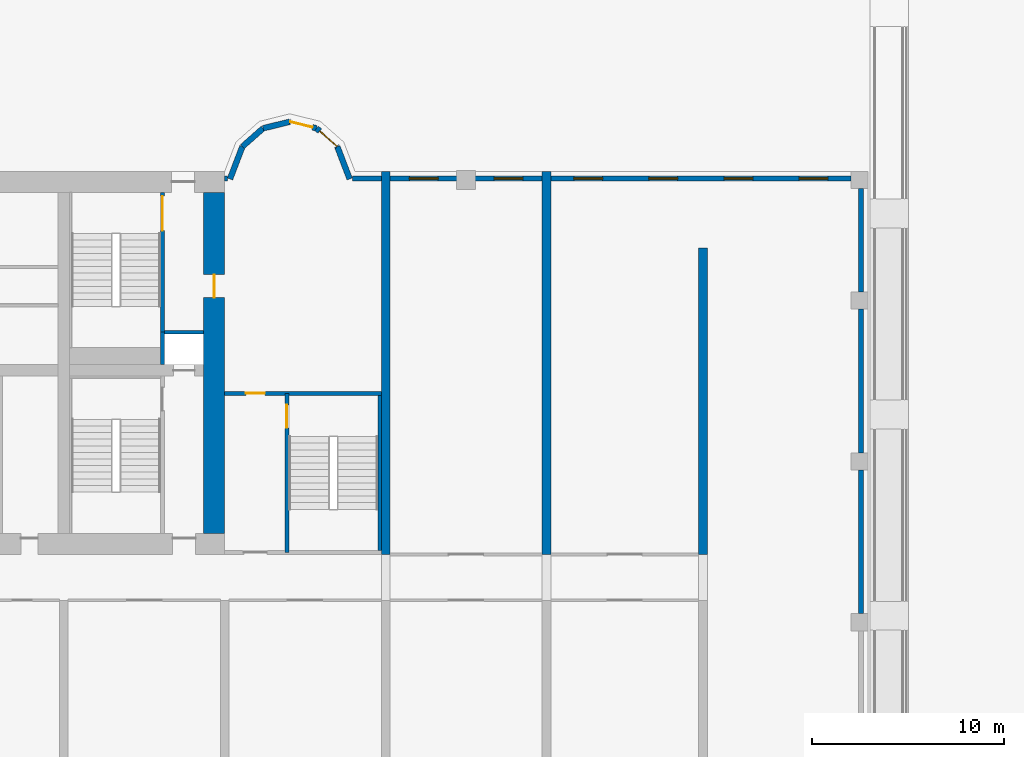
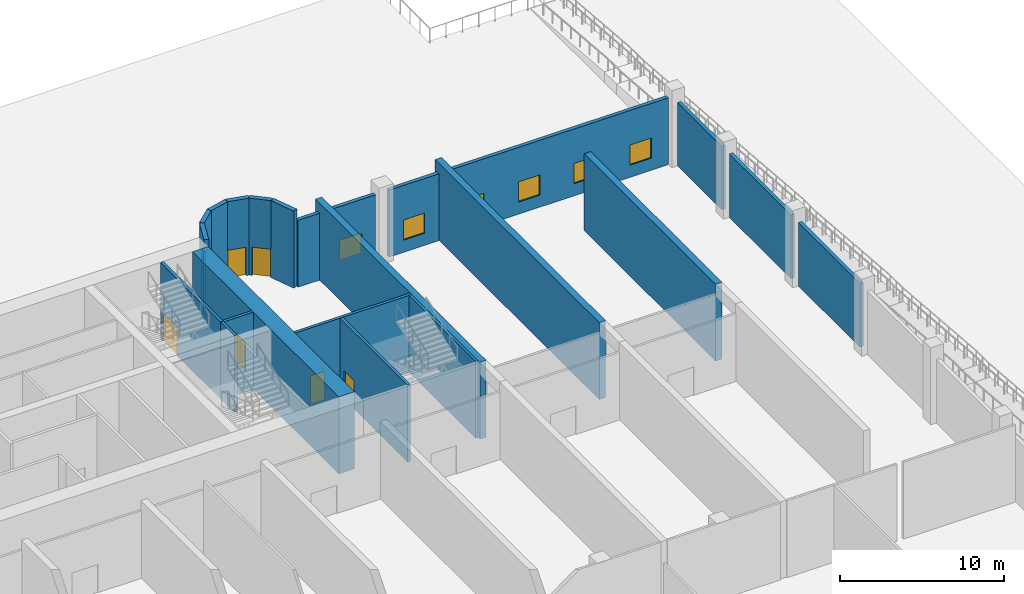
# One storey, part 14 of 20: 24 walls, 6 doors, 6 windows, 12 openings.
"""IFC4 building model written with IfcOpenShell, lengths in metres."""

import ifcopenshell
import ifcopenshell.guid

model = None  # the IFC model being written
_history = None  # IfcOwnerHistory: only IFC2X3 demands one
_inside = {}  # id of a spatial element -> (the spatial element, [elements in it])
_under = {}  # id of a project, library or spatial element -> (it, [spatial elements below it])
_declared = {}  # id of a project -> (the project, [libraries it declares])
_typed = {}  # id of a type object -> (the type object, [elements of that type])
_made_of = {}  # id of a material, layer set ... -> (it, [elements and type objects made of it])


def new_model(schema):
    """Start an empty IFC model of exactly this schema.

    Asked for "IFC4X3", IfcOpenShell would pick the latest addendum, in which some entities
    have other attributes; the version numbers below select the first issue.
    IFC2X3 requires an IfcOwnerHistory on every rooted entity: one is made here for all.
    """
    global model, _history
    if schema == "IFC4X3":
        model = ifcopenshell.file(schema_version=(4, 3, 0, 0))
    else:
        model = ifcopenshell.file(schema=schema)
    _inside.clear()
    _under.clear()
    _declared.clear()
    _typed.clear()
    _made_of.clear()
    _history = None
    if model.schema == "IFC2X3":
        org = make("IfcOrganization", Name="unknown")
        user = make(
            "IfcPersonAndOrganization",
            ThePerson=make("IfcPerson", FamilyName="unknown"),
            TheOrganization=org,
        )
        app = make(
            "IfcApplication",
            ApplicationDeveloper=org,
            Version="unknown",
            ApplicationFullName="unknown",
            ApplicationIdentifier="unknown",
        )
        _history = make(
            "IfcOwnerHistory",
            OwningUser=user,
            OwningApplication=app,
            ChangeAction="ADDED",
            CreationDate=0,
        )
    return model


def make(cls, **values):
    """One entity of the class cls with the attributes given. An attribute that is None is left unset."""
    return model.create_entity(
        cls, **{name: value for name, value in values.items() if value is not None}
    )


def rooted(cls, **values):
    """An entity with a GlobalId (a new one), such as an element, a storey or a relation."""
    return make(cls, GlobalId=ifcopenshell.guid.new(), OwnerHistory=_history, **values)


def si_unit(unit_type, name, prefix=None):
    """IfcSIUnit, for example si_unit("LENGTHUNIT", "METRE", prefix="MILLI")."""
    return make("IfcSIUnit", UnitType=unit_type, Prefix=prefix, Name=name)


def assignment(units):
    """IfcUnitAssignment: the units of a project."""
    return None if units is None else make("IfcUnitAssignment", Units=units)


def point(xyz):
    """IfcCartesianPoint."""
    return None if xyz is None else make("IfcCartesianPoint", Coordinates=xyz)


def direction(xyz):
    """IfcDirection."""
    return None if xyz is None else make("IfcDirection", DirectionRatios=xyz)


def frame(location, z_axis=None, x_axis=None):
    """IfcAxis2Placement3D, a coordinate frame: its origin and axes. An axis left out is left unset."""
    return make(
        "IfcAxis2Placement3D",
        Location=point(location),
        Axis=direction(z_axis),
        RefDirection=direction(x_axis),
    )


def frame_2d(location, x_axis=None):
    """IfcAxis2Placement2D, a coordinate frame in the plane: its origin and x axis."""
    return make(
        "IfcAxis2Placement2D", Location=point(location), RefDirection=direction(x_axis)
    )


def origin():
    """The frame at (0, 0, 0) with its axes left unset."""
    return frame((0.0, 0.0, 0.0))


def place(relative_to, where):
    """IfcLocalPlacement: puts the frame where relative to a parent placement (None: the world)."""
    return make(
        "IfcLocalPlacement", PlacementRelTo=relative_to, RelativePlacement=where
    )


def context(
    kind, dimensions, precision=None, world=None, true_north=None, identifier=None
):
    """IfcGeometricRepresentationContext, for example the 3D "Model" context."""
    return make(
        "IfcGeometricRepresentationContext",
        ContextIdentifier=identifier,
        ContextType=kind,
        CoordinateSpaceDimension=dimensions,
        Precision=precision,
        WorldCoordinateSystem=world,
        TrueNorth=true_north,
    )


def subcontext(parent, identifier, kind, view, scale=None):
    """IfcGeometricRepresentationSubContext, for example "Body" below "Model"."""
    return make(
        "IfcGeometricRepresentationSubContext",
        ContextIdentifier=identifier,
        ContextType=kind,
        ParentContext=parent,
        TargetScale=scale,
        TargetView=view,
    )


def project(units=None, contexts=None):
    """IfcProject with its units and contexts."""
    return rooted(
        "IfcProject",
        Name="project",
        RepresentationContexts=contexts,
        UnitsInContext=assignment(units),
    )


def spatial(cls, under=None, at=None, **own):
    """A site, building, storey or space (cls), placed at a placement, below another one or the project."""
    s = rooted(cls, ObjectPlacement=at, **own)
    if under is not None:
        _under.setdefault(under.id(), (under, []))[1].append(s)
    return s


def profile(cls, at=None, kind="AREA", **sizes):
    """A parametric profile (cls). Its sizes go by their IFC names, for example OverallWidth=200.0."""
    return make(cls, ProfileType=kind, Position=at, **sizes)


def rectangle(**sizes):
    """IfcRectangleProfileDef."""
    return profile("IfcRectangleProfileDef", **sizes)


def extrude(swept, where, along, depth):
    """IfcExtrudedAreaSolid: the profile swept, set in the frame where, extruded along a direction by depth."""
    return make(
        "IfcExtrudedAreaSolid",
        SweptArea=swept,
        Position=where,
        ExtrudedDirection=direction(along),
        Depth=depth,
    )


def shape(context_of_items, identifier, shape_type, items):
    """IfcShapeRepresentation: the items that make up one representation, for example the "Body"."""
    return make(
        "IfcShapeRepresentation",
        ContextOfItems=context_of_items,
        RepresentationIdentifier=identifier,
        RepresentationType=shape_type,
        Items=items,
    )


def source(mapping_origin, context_of_items, identifier, shape_type, items):
    """IfcRepresentationMap: a shape defined once, which mapped items show again and again."""
    return make(
        "IfcRepresentationMap",
        MappingOrigin=mapping_origin,
        MappedRepresentation=shape(context_of_items, identifier, shape_type, items),
    )


def transform(
    local_origin,
    x_axis=None,
    y_axis=None,
    z_axis=None,
    scale=None,
    scale2=None,
    scale3=None,
    uniform=True,
):
    """IfcCartesianTransformationOperator3D, or its non-uniform kind. x_axis, y_axis, z_axis: its Axis1, 2, 3."""
    if uniform:
        return make(
            "IfcCartesianTransformationOperator3D",
            Axis1=direction(x_axis),
            Axis2=direction(y_axis),
            LocalOrigin=point(local_origin),
            Scale=scale,
            Axis3=direction(z_axis),
        )
    return make(
        "IfcCartesianTransformationOperator3DnonUniform",
        Axis1=direction(x_axis),
        Axis2=direction(y_axis),
        LocalOrigin=point(local_origin),
        Scale=scale,
        Axis3=direction(z_axis),
        Scale2=scale2,
        Scale3=scale3,
    )


def mapped(mapping_source, mapping_target):
    """IfcMappedItem: shows the shape of a source again, moved by a transform."""
    return make(
        "IfcMappedItem", MappingSource=mapping_source, MappingTarget=mapping_target
    )


def material(Name=None, Category=None):
    """IfcMaterial."""
    return make("IfcMaterial", Name=Name, Category=Category)


def layer(
    of_material, thickness, ventilated=None, Name=None, Category=None, Priority=None
):
    """IfcMaterialLayer: one layer of a wall or slab, of a material (None: an air gap)."""
    return make(
        "IfcMaterialLayer",
        Material=of_material,
        LayerThickness=thickness,
        IsVentilated=ventilated,
        Name=Name,
        Category=Category,
        Priority=Priority,
    )


def layer_set(layers, Name=None):
    """IfcMaterialLayerSet."""
    return make("IfcMaterialLayerSet", MaterialLayers=layers, LayerSetName=Name)


def made_of(thing, what):
    """Note that an element or type object is made of a material, layer set ...; save() writes the relation."""
    if what is not None:
        _made_of.setdefault(what.id(), (what, []))[1].append(thing)
    return thing


def type_object(cls, material=None, **own):
    """A type object (cls), such as IfcWallType, which elements share."""
    return made_of(rooted(cls, **own), material)


def element(
    cls,
    number,
    at=None,
    inside=None,
    cuts=None,
    type_object=None,
    material=None,
    context=None,
    identifier="Body",
    shape_type=None,
    held_by="IfcProductDefinitionShape",
    body=None,
    shapes=None,
    **own,
):
    """One element of the class cls, such as IfcWall. Its Tag is "e" and its number.

    at: its placement. inside: the storey or other place that contains it. cuts: it is an
    opening in that element (IfcRelVoidsElement). A single representation is given by context,
    identifier, shape_type and body (its items); several are given by shapes. held_by: the class
    of the entity that holds the representations. save() writes the other relations.
    """
    e = rooted(cls, Tag="e%d" % number, ObjectPlacement=at, **own)
    if body is not None:
        shapes = [shape(context, identifier, shape_type, body)]
    if shapes is not None:
        e.Representation = make(held_by, Representations=shapes)
    if inside is not None:
        _inside.setdefault(inside.id(), (inside, []))[1].append(e)
    if cuts is not None:
        rooted(
            "IfcRelVoidsElement", RelatingBuildingElement=cuts, RelatedOpeningElement=e
        )
    if type_object is not None:
        _typed.setdefault(type_object.id(), (type_object, []))[1].append(e)
    return made_of(e, material)


def fill(opening, filler):
    """IfcRelFillsElement: the door or window that sits in an opening."""
    return rooted(
        "IfcRelFillsElement",
        RelatingOpeningElement=opening,
        RelatedBuildingElement=filler,
    )


def aggregate(whole, parts):
    """IfcRelAggregates: a whole, such as a stair, and the parts it consists of."""
    return rooted("IfcRelAggregates", RelatingObject=whole, RelatedObjects=parts)


def save(model, path):
    """Write the relations noted so far, then the file.

    IfcRelAggregates (storeys below a building ...), IfcRelContainedInSpatialStructure (elements
    in a storey), IfcRelDefinesByType, IfcRelAssociatesMaterial and IfcRelDeclares: one each for
    every whole, place, type object, material and project.
    """
    for whole, parts in _under.values():
        aggregate(whole, parts)
    for where, things in _inside.values():
        rooted(
            "IfcRelContainedInSpatialStructure",
            RelatedElements=things,
            RelatingStructure=where,
        )
    for kind, things in _typed.values():
        rooted("IfcRelDefinesByType", RelatedObjects=things, RelatingType=kind)
    for what, things in _made_of.values():
        rooted("IfcRelAssociatesMaterial", RelatedObjects=things, RelatingMaterial=what)
    for by, libraries in _declared.values():
        rooted("IfcRelDeclares", RelatingContext=by, RelatedDefinitions=libraries)
    model.write(path)


model = new_model("IFC4")

# Units and contexts
model_context = context("Model", 3, precision=1e-05, world=origin(), true_north=direction((0.0, 1.0)))
body_context = subcontext(model_context, "Body", "Model", "MODEL_VIEW")
ifc_project = project(units=[si_unit("LENGTHUNIT", "METRE"), si_unit("AREAUNIT", "SQUARE_METRE"), si_unit("VOLUMEUNIT", "CUBIC_METRE"), si_unit("PLANEANGLEUNIT", "RADIAN"), si_unit("MASSUNIT", "GRAM", prefix="KILO")], contexts=[model_context])

# Site, building, storey
site_placement = place(None, origin())
site = spatial("IfcSite", under=ifc_project, at=site_placement, CompositionType="ELEMENT")
building_placement = place(site_placement, origin())
building = spatial("IfcBuilding", under=site, at=building_placement, Name="Vanashikhar Sky Hotel", CompositionType="ELEMENT")
storey_placement = place(building_placement, origin())
storey = spatial("IfcBuildingStorey", under=building, at=storey_placement, Name="L00", CompositionType="ELEMENT", Elevation=0.0)

# Wall, opening, door
ifc_material_1 = material(Name="Concrete M80", Category="concrete")
ifc_layer_1 = layer(ifc_material_1, 1.10009765625)
ifc_layer_set_1 = layer_set([ifc_layer_1], Name="RC core shell wall 1100 Concrete M80")
wall_type_1 = type_object("IfcWallType", Name="RC core shell wall 1100 Concrete M80", PredefinedType="SHEAR", material=ifc_layer_set_1)
shared_shape_1 = source(origin(), body_context, "Body", "SweptSolid", [
    extrude(rectangle(XDim=17.7998046875, YDim=1.10009765625, at=frame_2d((8.89990234375, 0.0))), origin(), (0.0, 0.0, 1.0), 5.719970703125),
])
wall_1_placement = place(storey_placement, frame((75.050048828125, 23.10009765625, 0.0), z_axis=(0.0, 0.0, 1.0), x_axis=(0.0, 1.0, 0.0)))
wall_1 = element("IfcWall", 1, at=wall_1_placement, inside=storey, type_object=wall_type_1, Name="KW-L00-KE", PredefinedType="SHEAR", context=body_context, shape_type="MappedRepresentation", body=[
    mapped(shared_shape_1, transform((0.0, 0.0, 0.0), scale=1.0)),
])
shared_shape_2 = source(origin(), body_context, "Body", "SweptSolid", [
    extrude(rectangle(XDim=1.199951171875, YDim=2.10009765625, at=frame_2d((0.60009765625, 1.050048828125))), frame((0.0, 0.56005859375, 0.0), z_axis=(0.0, -1.0, 0.0), x_axis=(1.0, 0.0, 0.0)), (0.0, 0.0, 1.0), 1.1201171875),
])
opening_1_placement = place(wall_1_placement, frame((12.300048828125, 0.0, 0.0)))
opening_1 = element("IfcOpeningElement", 2, at=opening_1_placement, cuts=wall_1, Name="Opening DC-4-D", PredefinedType="OPENING", context=body_context, shape_type="MappedRepresentation", body=[
    mapped(shared_shape_2, transform((0.0, 0.0, 0.0), scale=1.0)),
])
ifc_material_2 = material(Name="Steel", Category="steel")
door_type_1 = type_object("IfcDoorType", Name="Service door 1200 FD120", OperationType="NOTDEFINED", PredefinedType="DOOR", material=ifc_material_2)
shared_shape_3 = source(origin(), body_context, "Body", "SweptSolid", [
    extrude(rectangle(XDim=1.199951171875, YDim=2.10009765625, at=frame_2d((0.60009765625, 1.050048828125))), frame((0.0, 0.02490234375, 0.0), z_axis=(0.0, -1.0, 0.0), x_axis=(1.0, 0.0, 0.0)), (0.0, 0.0, 1.0), 0.050048828125),
])
door_1_placement = place(opening_1_placement, origin())
door_1 = element("IfcDoor", 3, at=door_1_placement, inside=storey, type_object=door_type_1, Name="Service door 1200 FD120", OperationType="SINGLE_SWING_RIGHT", OverallHeight=2.10009765625, OverallWidth=1.199951171875, PredefinedType="DOOR", context=body_context, shape_type="MappedRepresentation", body=[
    mapped(shared_shape_3, transform((0.0, 0.0, 0.0), scale=1.0)),
])
fill(opening_1, door_1)

# Walls
ifc_layer_2 = layer(ifc_material_1, 0.449951171875)
ifc_layer_set_2 = layer_set([ifc_layer_2], Name="RC shear wall 450 Concrete M80")
wall_type_2 = type_object("IfcWallType", Name="RC shear wall 450 Concrete M80", PredefinedType="SHEAR", material=ifc_layer_set_2)
shared_shape_4 = source(origin(), body_context, "Body", "SweptSolid", [
    extrude(rectangle(XDim=16.0, YDim=0.449951171875, at=frame_2d((8.0, 0.0))), origin(), (0.0, 0.0, 1.0), 5.719970703125),
])
wall_2_placement = place(storey_placement, frame((100.574951171875, 22.0, 0.0), z_axis=(0.0, 0.0, 1.0), x_axis=(0.0, 1.0, 0.0)))
element("IfcWall", 4, at=wall_2_placement, inside=storey, type_object=wall_type_2, Name="CW-L00-XW13-2", PredefinedType="SHEAR", context=body_context, shape_type="MappedRepresentation", body=[
    mapped(shared_shape_4, transform((0.0, 0.0, 0.0), scale=1.0)),
])
shared_shape_5 = source(origin(), body_context, "Body", "SweptSolid", [
    extrude(rectangle(XDim=20.0, YDim=0.449951171875, at=frame_2d((10.0, 0.0))), origin(), (0.0, 0.0, 1.0), 5.719970703125),
])
for number, where, z_axis, x_axis, name in (
    (5, (84.0, 22.0, 0.0), (0.0, 0.0, 1.0), (0.0, 1.0, 0.0), "CW-L00-XW11-2"),
    (6, (92.39990234375, 22.0, 0.0), (0.0, 0.0, 1.0), (0.0, 1.0, 0.0), "CW-L00-XW12-2"),
):
    element("IfcWall", number, at=place(storey_placement, frame(where, z_axis=z_axis, x_axis=x_axis)), inside=storey, type_object=wall_type_2, Name=name, PredefinedType="SHEAR", context=body_context, shape_type="MappedRepresentation", body=[
        mapped(shared_shape_5, transform((0.0, 0.0, 0.0), scale=1.0)),
    ])
ifc_material_3 = material(Name="Concrete M50", Category="concrete")
ifc_layer_3 = layer(ifc_material_3, 0.300048828125)
ifc_layer_set_3 = layer_set([ifc_layer_3], Name="Lobe wall 300")
wall_type_3 = type_object("IfcWallType", Name="Lobe wall 300", PredefinedType="SOLIDWALL", material=ifc_layer_set_3)
shared_shape_6 = source(origin(), body_context, "Body", "SweptSolid", [
    extrude(rectangle(XDim=1.81201171875, YDim=0.300048828125, at=frame_2d((0.906005859375, 0.0))), origin(), (0.0, 0.0, 1.0), 5.719970703125),
])
for number, where, z_axis, x_axis, name in (
    (7, (82.125, 41.60009765625, 0.0), (0.0, 0.0, 1.0), (-0.357877270961, 0.93376863244, 0.0), "Lobe wall"),
    (8, (76.5234375, 43.2919921875, 0.0), (0.0, 0.0, 1.0), (-0.357877270961, -0.93376863244, 0.0), "Lobe wall"),
):
    element("IfcWall", number, at=place(storey_placement, frame(where, z_axis=z_axis, x_axis=x_axis)), inside=storey, type_object=wall_type_3, Name=name, PredefinedType="SOLIDWALL", context=body_context, shape_type="MappedRepresentation", body=[
        mapped(shared_shape_6, transform((0.0, 0.0, 0.0), scale=1.0)),
    ])

# Wall, opening, door
shared_shape_7 = source(origin(), body_context, "Body", "SweptSolid", [
    extrude(rectangle(XDim=1.43994140625, YDim=0.300048828125, at=frame_2d((0.719970703125, 0.0))), origin(), (0.0, 0.0, 1.0), 5.719970703125),
])
wall_3_placement = place(storey_placement, frame((81.4765625, 43.2919921875, 0.0), z_axis=(0.0, 0.0, 1.0), x_axis=(-0.74957555648, 0.661918790432, 0.0)))
wall_3 = element("IfcWall", 9, at=wall_3_placement, inside=storey, type_object=wall_type_3, Name="Lobe wall", PredefinedType="SOLIDWALL", context=body_context, shape_type="MappedRepresentation", body=[
    mapped(shared_shape_7, transform((0.0, 0.0, 0.0), scale=1.0)),
])
shared_shape_8 = source(origin(), body_context, "Body", "SweptSolid", [
    extrude(rectangle(XDim=1.199951171875, YDim=2.10009765625, at=frame_2d((0.60009765625, 1.050048828125))), frame((0.0, 0.16015625, 0.0), z_axis=(0.0, -1.0, 0.0), x_axis=(1.0, 0.0, 0.0)), (0.0, 0.0, 1.0), 0.320068359375),
])
opening_2_placement = place(wall_3_placement, frame((0.02001953125, 0.0, 0.0)))
opening_2 = element("IfcOpeningElement", 10, at=opening_2_placement, cuts=wall_3, Name="Opening D-09", PredefinedType="OPENING", context=body_context, shape_type="MappedRepresentation", body=[
    mapped(shared_shape_8, transform((0.0, 0.0, 0.0), scale=1.0)),
])
ifc_material_4 = material(Name="Steel door", Category="steel")
door_type_2 = type_object("IfcDoorType", Name="Exit door 1200", OperationType="NOTDEFINED", PredefinedType="DOOR", material=ifc_material_4)
door_2_placement = place(opening_2_placement, origin())
door_2 = element("IfcDoor", 11, at=door_2_placement, inside=storey, type_object=door_type_2, Name="D-L00-EXE2", OperationType="SINGLE_SWING_LEFT", OverallHeight=2.10009765625, OverallWidth=1.199951171875, PredefinedType="DOOR", context=body_context, shape_type="MappedRepresentation", body=[
    mapped(shared_shape_3, transform((0.0, 0.0, 0.0), scale=1.0)),
])
fill(opening_2, door_2)

# Wall
wall_4_placement = place(storey_placement, frame((77.602783203125, 44.2451171875, 0.0), z_axis=(0.0, 0.0, 1.0), x_axis=(-0.74957555648, -0.661918790432, 0.0)))
element("IfcWall", 12, at=wall_4_placement, inside=storey, type_object=wall_type_3, Name="Lobe wall", PredefinedType="SOLIDWALL", context=body_context, shape_type="MappedRepresentation", body=[
    mapped(shared_shape_7, transform((0.0, 0.0, 0.0), scale=1.0)),
])

# Wall, opening, door
shared_shape_9 = source(origin(), body_context, "Body", "SweptSolid", [
    extrude(rectangle(XDim=1.438720703125, YDim=0.300048828125, at=frame_2d((0.71923828125, 0.0))), origin(), (0.0, 0.0, 1.0), 5.719970703125),
])
wall_5_placement = place(storey_placement, frame((80.397216796875, 44.2451171875, 0.0), z_axis=(0.0, 0.0, 1.0), x_axis=(-0.971161932466, 0.238420848351, 0.0)))
wall_5 = element("IfcWall", 13, at=wall_5_placement, inside=storey, type_object=wall_type_3, Name="Lobe wall", PredefinedType="SOLIDWALL", context=body_context, shape_type="MappedRepresentation", body=[
    mapped(shared_shape_9, transform((0.0, 0.0, 0.0), scale=1.0)),
])
opening_3_placement = place(wall_5_placement, frame((0.218994140625, 0.0, 0.0)))
opening_3 = element("IfcOpeningElement", 14, at=opening_3_placement, cuts=wall_5, Name="Opening D-09", PredefinedType="OPENING", context=body_context, shape_type="MappedRepresentation", body=[
    mapped(shared_shape_8, transform((0.0, 0.0, 0.0), scale=1.0)),
])
door_3_placement = place(opening_3_placement, origin())
door_3 = element("IfcDoor", 15, at=door_3_placement, inside=storey, type_object=door_type_2, Name="D-L00-EXE1", OperationType="SINGLE_SWING_RIGHT", OverallHeight=2.10009765625, OverallWidth=1.199951171875, PredefinedType="DOOR", context=body_context, shape_type="MappedRepresentation", body=[
    mapped(shared_shape_3, transform((0.0, 0.0, 0.0), scale=1.0)),
])
fill(opening_3, door_3)

# Walls
wall_6_placement = place(storey_placement, frame((79.0, 44.588134765625, 0.0), z_axis=(0.0, 0.0, 1.0), x_axis=(-0.971161932466, -0.238420848351, 0.0)))
element("IfcWall", 16, at=wall_6_placement, inside=storey, type_object=wall_type_3, Name="Lobe wall", PredefinedType="SOLIDWALL", context=body_context, shape_type="MappedRepresentation", body=[
    mapped(shared_shape_9, transform((0.0, 0.0, 0.0), scale=1.0)),
])
ifc_layer_4 = layer(ifc_material_3, 0.25)
ifc_layer_set_4 = layer_set([ifc_layer_4], Name="Rear and end board-marked wall 250")
wall_type_4 = type_object("IfcWallType", Name="Rear and end board-marked wall 250", PredefinedType="SOLIDWALL", material=ifc_layer_set_4)
shared_shape_10 = source(origin(), body_context, "Body", "SweptSolid", [
    extrude(rectangle(XDim=0.1376953125, YDim=0.25, at=frame_2d((0.06884765625, 0.0))), origin(), (0.0, 0.0, 1.0), 4.969970703125),
])
wall_7_placement = place(storey_placement, frame((75.73779296875, 41.625, 0.0), z_axis=(0.0, 0.0, 1.0), x_axis=(-1.0, 0.0, 0.0)))
element("IfcWall", 17, at=wall_7_placement, inside=storey, type_object=wall_type_4, Name="Podium external wall", PredefinedType="SOLIDWALL", context=body_context, shape_type="MappedRepresentation", body=[
    mapped(shared_shape_10, transform((0.0, 0.0, 0.0), scale=1.0)),
])

# Wall, opening, window
shared_shape_11 = source(origin(), body_context, "Body", "SweptSolid", [
    extrude(rectangle(XDim=3.52490234375, YDim=0.25, at=frame_2d((1.762451171875, 0.0))), origin(), (0.0, 0.0, 1.0), 4.969970703125),
])
wall_8_placement = place(storey_placement, frame((87.75, 41.625, 0.0), z_axis=(0.0, 0.0, 1.0), x_axis=(-1.0, 0.0, 0.0)))
wall_8 = element("IfcWall", 18, at=wall_8_placement, inside=storey, type_object=wall_type_4, Name="Podium external wall", PredefinedType="SOLIDWALL", context=body_context, shape_type="MappedRepresentation", body=[
    mapped(shared_shape_11, transform((0.0, 0.0, 0.0), scale=1.0)),
])
shared_shape_12 = source(origin(), body_context, "Body", "SweptSolid", [
    extrude(rectangle(XDim=1.5, YDim=1.5, at=frame_2d((0.75, 0.75))), frame((0.0, 0.135009765625, 0.0), z_axis=(0.0, -1.0, 0.0), x_axis=(1.0, 0.0, 0.0)), (0.0, 0.0, 1.0), 0.27001953125),
])
opening_4_placement = place(wall_8_placement, frame((1.012451171875, 0.0, 0.89990234375)))
opening_4 = element("IfcOpeningElement", 19, at=opening_4_placement, cuts=wall_8, Name="Opening WN-1", PredefinedType="OPENING", context=body_context, shape_type="MappedRepresentation", body=[
    mapped(shared_shape_12, transform((0.0, 0.0, 0.0), scale=1.0)),
])
ifc_material_5 = material(Name="Glass", Category="glass")
window_type = type_object("IfcWindowType", Name="Window 1500 x 1500", PartitioningType="SINGLE_PANEL", PredefinedType="WINDOW", material=ifc_material_5)
shared_shape_13 = source(origin(), body_context, "Body", "SweptSolid", [
    extrude(rectangle(XDim=1.5, YDim=1.5, at=frame_2d((0.75, 0.75))), frame((0.0, 0.030029296875, 0.0), z_axis=(0.0, -1.0, 0.0), x_axis=(1.0, 0.0, 0.0)), (0.0, 0.0, 1.0), 0.06005859375),
])
window_1_placement = place(opening_4_placement, origin())
window_1 = element("IfcWindow", 20, at=window_1_placement, inside=storey, type_object=window_type, Name="Window WN-1", OverallHeight=1.5, OverallWidth=1.5, PartitioningType="SINGLE_PANEL", PredefinedType="WINDOW", context=body_context, shape_type="MappedRepresentation", body=[
    mapped(shared_shape_13, transform((0.0, 0.0, 0.0), scale=1.0)),
])
fill(opening_4, window_1)

# Wall, openings, windows
shared_shape_14 = source(origin(), body_context, "Body", "SweptSolid", [
    extrude(rectangle(XDim=15.675048828125, YDim=0.25, at=frame_2d((7.83740234375, 0.0))), origin(), (0.0, 0.0, 1.0), 4.969970703125),
])
wall_9_placement = place(storey_placement, frame((108.300048828125, 41.625, 0.0), z_axis=(0.0, 0.0, 1.0), x_axis=(-1.0, 0.0, 0.0)))
wall_9 = element("IfcWall", 21, at=wall_9_placement, inside=storey, type_object=wall_type_4, Name="Podium external wall", PredefinedType="SOLIDWALL", context=body_context, shape_type="MappedRepresentation", body=[
    mapped(shared_shape_14, transform((0.0, 0.0, 0.0), scale=1.0)),
])
opening_5_placement = place(wall_9_placement, frame((1.20947265625, 0.0, 0.89990234375)))
opening_5 = element("IfcOpeningElement", 22, at=opening_5_placement, cuts=wall_9, Name="Opening WN-1", PredefinedType="OPENING", context=body_context, shape_type="MappedRepresentation", body=[
    mapped(shared_shape_12, transform((0.0, 0.0, 0.0), scale=1.0)),
])
opening_6_placement = place(wall_9_placement, frame((5.128173828125, 0.0, 0.89990234375)))
opening_6 = element("IfcOpeningElement", 23, at=opening_6_placement, cuts=wall_9, Name="Opening WN-1", PredefinedType="OPENING", context=body_context, shape_type="MappedRepresentation", body=[
    mapped(shared_shape_12, transform((0.0, 0.0, 0.0), scale=1.0)),
])
opening_7_placement = place(wall_9_placement, frame((9.046875, 0.0, 0.89990234375)))
opening_7 = element("IfcOpeningElement", 24, at=opening_7_placement, cuts=wall_9, Name="Opening WN-1", PredefinedType="OPENING", context=body_context, shape_type="MappedRepresentation", body=[
    mapped(shared_shape_12, transform((0.0, 0.0, 0.0), scale=1.0)),
])
opening_8_placement = place(wall_9_placement, frame((12.965576171875, 0.0, 0.89990234375)))
opening_8 = element("IfcOpeningElement", 25, at=opening_8_placement, cuts=wall_9, Name="Opening WN-1", PredefinedType="OPENING", context=body_context, shape_type="MappedRepresentation", body=[
    mapped(shared_shape_12, transform((0.0, 0.0, 0.0), scale=1.0)),
])
window_2_placement = place(opening_5_placement, origin())
window_2 = element("IfcWindow", 26, at=window_2_placement, inside=storey, type_object=window_type, Name="Window WN-1", OverallHeight=1.5, OverallWidth=1.5, PartitioningType="SINGLE_PANEL", PredefinedType="WINDOW", context=body_context, shape_type="MappedRepresentation", body=[
    mapped(shared_shape_13, transform((0.0, 0.0, 0.0), scale=1.0)),
])
fill(opening_5, window_2)
window_3_placement = place(opening_6_placement, origin())
window_3 = element("IfcWindow", 27, at=window_3_placement, inside=storey, type_object=window_type, Name="Window WN-1", OverallHeight=1.5, OverallWidth=1.5, PartitioningType="SINGLE_PANEL", PredefinedType="WINDOW", context=body_context, shape_type="MappedRepresentation", body=[
    mapped(shared_shape_13, transform((0.0, 0.0, 0.0), scale=1.0)),
])
fill(opening_6, window_3)
window_4_placement = place(opening_7_placement, origin())
window_4 = element("IfcWindow", 28, at=window_4_placement, inside=storey, type_object=window_type, Name="Window WN-1", OverallHeight=1.5, OverallWidth=1.5, PartitioningType="SINGLE_PANEL", PredefinedType="WINDOW", context=body_context, shape_type="MappedRepresentation", body=[
    mapped(shared_shape_13, transform((0.0, 0.0, 0.0), scale=1.0)),
])
fill(opening_7, window_4)
window_5_placement = place(opening_8_placement, origin())
window_5 = element("IfcWindow", 29, at=window_5_placement, inside=storey, type_object=window_type, Name="Window WN-1", OverallHeight=1.5, OverallWidth=1.5, PartitioningType="SINGLE_PANEL", PredefinedType="WINDOW", context=body_context, shape_type="MappedRepresentation", body=[
    mapped(shared_shape_13, transform((0.0, 0.0, 0.0), scale=1.0)),
])
fill(opening_8, window_5)

# Walls
shared_shape_15 = source(origin(), body_context, "Body", "SweptSolid", [
    extrude(rectangle(XDim=5.400146484375, YDim=0.25, at=frame_2d((2.7001953125, 0.0))), origin(), (0.0, 0.0, 1.0), 4.719970703125),
])
wall_10_placement = place(storey_placement, frame((108.824951171875, 35.699951171875, 0.0), z_axis=(0.0, 0.0, 1.0), x_axis=(0.0, 1.0, 0.0)))
element("IfcWall", 30, at=wall_10_placement, inside=storey, type_object=wall_type_4, Name="Podium external wall", PredefinedType="SOLIDWALL", context=body_context, shape_type="MappedRepresentation", body=[
    mapped(shared_shape_15, transform((0.0, 0.0, 0.0), scale=1.0)),
])
shared_shape_16 = source(origin(), body_context, "Body", "SweptSolid", [
    extrude(rectangle(XDim=7.5, YDim=0.25, at=frame_2d((3.75, 0.0))), origin(), (0.0, 0.0, 1.0), 4.719970703125),
])
for number, where, z_axis, x_axis, name in (
    (31, (108.824951171875, 18.89990234375, 0.0), (0.0, 0.0, 1.0), (0.0, 1.0, 0.0), "Podium external wall"),
    (32, (108.824951171875, 27.300048828125, 0.0), (0.0, 0.0, 1.0), (0.0, 1.0, 0.0), "Podium external wall"),
):
    element("IfcWall", number, at=place(storey_placement, frame(where, z_axis=z_axis, x_axis=x_axis)), inside=storey, type_object=wall_type_4, Name=name, PredefinedType="SOLIDWALL", context=body_context, shape_type="MappedRepresentation", body=[
        mapped(shared_shape_16, transform((0.0, 0.0, 0.0), scale=1.0)),
    ])

# Wall, opening, window
shared_shape_17 = source(origin(), body_context, "Body", "SweptSolid", [
    extrude(rectangle(XDim=3.525146484375, YDim=0.25, at=frame_2d((1.7626953125, 0.0))), origin(), (0.0, 0.0, 1.0), 4.969970703125),
])
wall_11_placement = place(storey_placement, frame((92.175048828125, 41.625, 0.0), z_axis=(0.0, 0.0, 1.0), x_axis=(-1.0, 0.0, 0.0)))
wall_11 = element("IfcWall", 33, at=wall_11_placement, inside=storey, type_object=wall_type_4, Name="Podium external wall", PredefinedType="SOLIDWALL", context=body_context, shape_type="MappedRepresentation", body=[
    mapped(shared_shape_17, transform((0.0, 0.0, 0.0), scale=1.0)),
])
opening_9_placement = place(wall_11_placement, frame((1.012451171875, 0.0, 0.89990234375)))
opening_9 = element("IfcOpeningElement", 34, at=opening_9_placement, cuts=wall_11, Name="Opening WN-1", PredefinedType="OPENING", context=body_context, shape_type="MappedRepresentation", body=[
    mapped(shared_shape_12, transform((0.0, 0.0, 0.0), scale=1.0)),
])
window_6_placement = place(opening_9_placement, origin())
window_6 = element("IfcWindow", 35, at=window_6_placement, inside=storey, type_object=window_type, Name="Window WN-1", OverallHeight=1.5, OverallWidth=1.5, PartitioningType="SINGLE_PANEL", PredefinedType="WINDOW", context=body_context, shape_type="MappedRepresentation", body=[
    mapped(shared_shape_13, transform((0.0, 0.0, 0.0), scale=1.0)),
])
fill(opening_9, window_6)

# Walls
shared_shape_18 = source(origin(), body_context, "Body", "SweptSolid", [
    extrude(rectangle(XDim=1.5126953125, YDim=0.25, at=frame_2d((0.75634765625, 0.0))), origin(), (0.0, 0.0, 1.0), 4.969970703125),
])
wall_12_placement = place(storey_placement, frame((83.77490234375, 41.625, 0.0), z_axis=(0.0, 0.0, 1.0), x_axis=(-1.0, 0.0, 0.0)))
element("IfcWall", 36, at=wall_12_placement, inside=storey, type_object=wall_type_4, Name="Podium external wall", PredefinedType="SOLIDWALL", context=body_context, shape_type="MappedRepresentation", body=[
    mapped(shared_shape_18, transform((0.0, 0.0, 0.0), scale=1.0)),
])
ifc_material_6 = material(Name="Concrete M40", Category="concrete")
ifc_layer_5 = layer(ifc_material_6, 0.199951171875)
ifc_layer_set_5 = layer_set([ifc_layer_5], Name="Shaft wall 200")
wall_type_5 = type_object("IfcWallType", Name="Shaft wall 200", PredefinedType="SOLIDWALL", material=ifc_layer_set_5)
shared_shape_19 = source(origin(), body_context, "Body", "SweptSolid", [
    extrude(rectangle(XDim=1.7001953125, YDim=0.199951171875, at=frame_2d((0.85009765625, 0.0))), origin(), (0.0, 0.0, 1.0), 5.719970703125),
])
wall_13_placement = place(storey_placement, frame((72.35009765625, 31.89990234375, 0.0), z_axis=(0.0, 0.0, 1.0), x_axis=(0.0, 1.0, 0.0)))
element("IfcWall", 37, at=wall_13_placement, inside=storey, type_object=wall_type_5, Name="Shaft wall 200", PredefinedType="SOLIDWALL", context=body_context, shape_type="MappedRepresentation", body=[
    mapped(shared_shape_19, transform((0.0, 0.0, 0.0), scale=1.0)),
])

# Wall, opening, door
ifc_layer_6 = layer(ifc_material_3, 0.199951171875)
ifc_layer_set_6 = layer_set([ifc_layer_6], Name="Stair wall 200")
wall_type_6 = type_object("IfcWallType", Name="Stair wall 200", PredefinedType="SOLIDWALL", material=ifc_layer_set_6)
shared_shape_20 = source(origin(), body_context, "Body", "SweptSolid", [
    extrude(rectangle(XDim=7.2998046875, YDim=0.199951171875, at=frame_2d((3.64990234375, 0.0))), origin(), (0.0, 0.0, 1.0), 5.719970703125),
])
wall_14_placement = place(storey_placement, frame((72.35009765625, 33.60009765625, 0.0), z_axis=(0.0, 0.0, 1.0), x_axis=(0.0, 1.0, 0.0)))
wall_14 = element("IfcWall", 38, at=wall_14_placement, inside=storey, type_object=wall_type_6, Name="Stair wall 200", PredefinedType="SOLIDWALL", context=body_context, shape_type="MappedRepresentation", body=[
    mapped(shared_shape_20, transform((0.0, 0.0, 0.0), scale=1.0)),
])
shared_shape_21 = source(origin(), body_context, "Body", "SweptSolid", [
    extrude(rectangle(XDim=1.800048828125, YDim=2.10009765625, at=frame_2d((0.89990234375, 1.050048828125))), frame((0.0, 0.10986328125, 0.0), z_axis=(0.0, -1.0, 0.0), x_axis=(1.0, 0.0, 0.0)), (0.0, 0.0, 1.0), 0.219970703125),
])
opening_10_placement = place(wall_14_placement, frame((5.300048828125, 0.0, 0.0)))
opening_10 = element("IfcOpeningElement", 39, at=opening_10_placement, cuts=wall_14, Name="Opening DC-1-A", PredefinedType="OPENING", context=body_context, shape_type="MappedRepresentation", body=[
    mapped(shared_shape_21, transform((0.0, 0.0, 0.0), scale=1.0)),
])
door_type_3 = type_object("IfcDoorType", Name="Stair door 1800 FD120", OperationType="NOTDEFINED", PredefinedType="DOOR", material=ifc_material_2)
shared_shape_22 = source(origin(), body_context, "Body", "SweptSolid", [
    extrude(rectangle(XDim=1.800048828125, YDim=2.10009765625, at=frame_2d((0.89990234375, 1.050048828125))), frame((0.0, 0.02490234375, 0.0), z_axis=(0.0, -1.0, 0.0), x_axis=(1.0, 0.0, 0.0)), (0.0, 0.0, 1.0), 0.050048828125),
])
door_4_placement = place(opening_10_placement, origin())
door_4 = element("IfcDoor", 40, at=door_4_placement, inside=storey, type_object=door_type_3, Name="Stair door 1800 FD120", OperationType="SINGLE_SWING_LEFT", OverallHeight=2.10009765625, OverallWidth=1.800048828125, PredefinedType="DOOR", context=body_context, shape_type="MappedRepresentation", body=[
    mapped(shared_shape_22, transform((0.0, 0.0, 0.0), scale=1.0)),
])
fill(opening_10, door_4)

# Wall
shared_shape_23 = source(origin(), body_context, "Body", "SweptSolid", [
    extrude(rectangle(XDim=2.050048828125, YDim=0.199951171875, at=frame_2d((1.02490234375, 0.0))), origin(), (0.0, 0.0, 1.0), 5.719970703125),
])
wall_15_placement = place(storey_placement, frame((72.449951171875, 33.60009765625, 0.0), z_axis=(0.0, 0.0, 1.0), x_axis=(1.0, 0.0, 0.0)))
element("IfcWall", 41, at=wall_15_placement, inside=storey, type_object=wall_type_5, Name="Shaft wall 200", PredefinedType="SOLIDWALL", context=body_context, shape_type="MappedRepresentation", body=[
    mapped(shared_shape_23, transform((0.0, 0.0, 0.0), scale=1.0)),
])

# Wall, opening, door
shared_shape_24 = source(origin(), body_context, "Body", "SweptSolid", [
    extrude(rectangle(XDim=8.2998046875, YDim=0.199951171875, at=frame_2d((4.14990234375, 0.0))), origin(), (0.0, 0.0, 1.0), 5.719970703125),
])
wall_16_placement = place(storey_placement, frame((78.85009765625, 22.10009765625, 0.0), z_axis=(0.0, 0.0, 1.0), x_axis=(0.0, 1.0, 0.0)))
wall_16 = element("IfcWall", 42, at=wall_16_placement, inside=storey, type_object=wall_type_6, Name="Stair wall 200", PredefinedType="SOLIDWALL", context=body_context, shape_type="MappedRepresentation", body=[
    mapped(shared_shape_24, transform((0.0, 0.0, 0.0), scale=1.0)),
])
shared_shape_25 = source(origin(), body_context, "Body", "SweptSolid", [
    extrude(rectangle(XDim=1.199951171875, YDim=2.10009765625, at=frame_2d((0.60009765625, 1.050048828125))), frame((0.0, 0.10986328125, 0.0), z_axis=(0.0, -1.0, 0.0), x_axis=(1.0, 0.0, 0.0)), (0.0, 0.0, 1.0), 0.219970703125),
])
opening_11_placement = place(wall_16_placement, frame((6.5, 0.0, 0.0)))
opening_11 = element("IfcOpeningElement", 43, at=opening_11_placement, cuts=wall_16, Name="Opening DC-1", PredefinedType="OPENING", context=body_context, shape_type="MappedRepresentation", body=[
    mapped(shared_shape_25, transform((0.0, 0.0, 0.0), scale=1.0)),
])
door_type_4 = type_object("IfcDoorType", Name="Stair door 1200 FD120", OperationType="NOTDEFINED", PredefinedType="DOOR", material=ifc_material_2)
door_5_placement = place(opening_11_placement, origin())
door_5 = element("IfcDoor", 44, at=door_5_placement, inside=storey, type_object=door_type_4, Name="Stair door 1200 FD120", OperationType="SINGLE_SWING_LEFT", OverallHeight=2.10009765625, OverallWidth=1.199951171875, PredefinedType="DOOR", context=body_context, shape_type="MappedRepresentation", body=[
    mapped(shared_shape_3, transform((0.0, 0.0, 0.0), scale=1.0)),
])
fill(opening_11, door_5)

shared_shape_26 = source(origin(), body_context, "Body", "SweptSolid", [
    extrude(rectangle(XDim=8.1748046875, YDim=0.199951171875, at=frame_2d((4.08740234375, 0.0))), origin(), (0.0, 0.0, 1.0), 5.719970703125),
])
wall_17_placement = place(storey_placement, frame((83.77490234375, 30.39990234375, 0.0), z_axis=(0.0, 0.0, 1.0), x_axis=(-1.0, 0.0, 0.0)))
wall_17 = element("IfcWall", 45, at=wall_17_placement, inside=storey, type_object=wall_type_6, Name="Stair wall 200", PredefinedType="SOLIDWALL", context=body_context, shape_type="MappedRepresentation", body=[
    mapped(shared_shape_26, transform((0.0, 0.0, 0.0), scale=1.0)),
])
shared_shape_27 = source(origin(), body_context, "Body", "SweptSolid", [
    extrude(rectangle(XDim=1.0, YDim=2.10009765625, at=frame_2d((0.5, 1.050048828125))), frame((0.0, 0.10986328125, 0.0), z_axis=(0.0, -1.0, 0.0), x_axis=(1.0, 0.0, 0.0)), (0.0, 0.0, 1.0), 0.219970703125),
])
opening_12_placement = place(wall_17_placement, frame((6.074951171875, 0.0, 0.0)))
opening_12 = element("IfcOpeningElement", 46, at=opening_12_placement, cuts=wall_17, Name="Opening DC-6", PredefinedType="OPENING", context=body_context, shape_type="MappedRepresentation", body=[
    mapped(shared_shape_27, transform((0.0, 0.0, 0.0), scale=1.0)),
])
door_type_5 = type_object("IfcDoorType", Name="Pocket door 1000 FD60", OperationType="NOTDEFINED", PredefinedType="DOOR", material=ifc_material_2)
shared_shape_28 = source(origin(), body_context, "Body", "SweptSolid", [
    extrude(rectangle(XDim=1.0, YDim=2.10009765625, at=frame_2d((0.5, 1.050048828125))), frame((0.0, 0.02490234375, 0.0), z_axis=(0.0, -1.0, 0.0), x_axis=(1.0, 0.0, 0.0)), (0.0, 0.0, 1.0), 0.050048828125),
])
door_6_placement = place(opening_12_placement, origin())
door_6 = element("IfcDoor", 47, at=door_6_placement, inside=storey, type_object=door_type_5, Name="Pocket door 1000 FD60", OperationType="SINGLE_SWING_LEFT", OverallHeight=2.10009765625, OverallWidth=1.0, PredefinedType="DOOR", context=body_context, shape_type="MappedRepresentation", body=[
    mapped(shared_shape_28, transform((0.0, 0.0, 0.0), scale=1.0)),
])
fill(opening_12, door_6)

# Wall
ifc_layer_7 = layer(ifc_material_3, 0.175048828125)
ifc_layer_set_7 = layer_set([ifc_layer_7], Name="Stair infill wall 175")
wall_type_7 = type_object("IfcWallType", Name="Stair infill wall 175", PredefinedType="SOLIDWALL", material=ifc_layer_set_7)
shared_shape_29 = source(origin(), body_context, "Body", "SweptSolid", [
    extrude(rectangle(XDim=8.10009765625, YDim=0.175048828125, at=frame_2d((4.050048828125, 0.0))), origin(), (0.0, 0.0, 1.0), 5.719970703125),
])
wall_18_placement = place(storey_placement, frame((83.68798828125, 22.199951171875, 0.0), z_axis=(0.0, 0.0, 1.0), x_axis=(0.0, 1.0, 0.0)))
element("IfcWall", 48, at=wall_18_placement, inside=storey, type_object=wall_type_7, Name="Stair infill wall 175", PredefinedType="SOLIDWALL", context=body_context, shape_type="MappedRepresentation", body=[
    mapped(shared_shape_29, transform((0.0, 0.0, 0.0), scale=1.0)),
])

save(model, "model.ifc")
